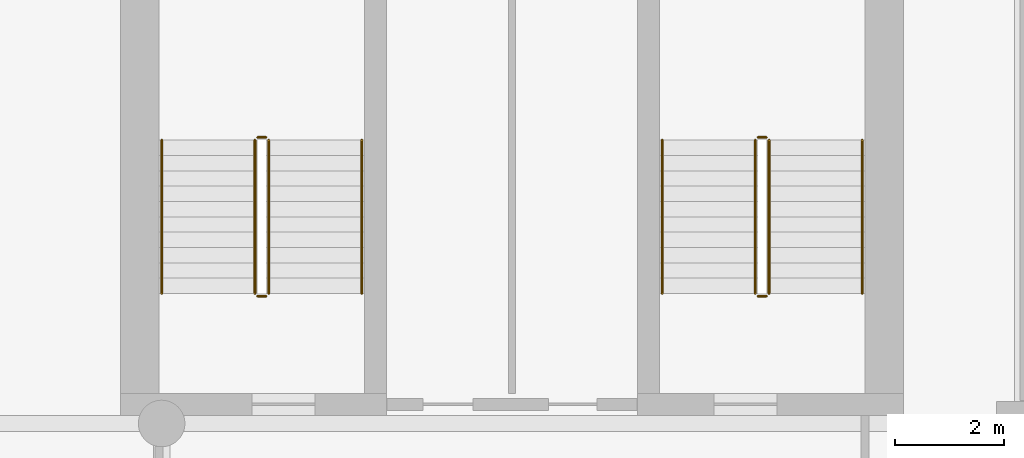
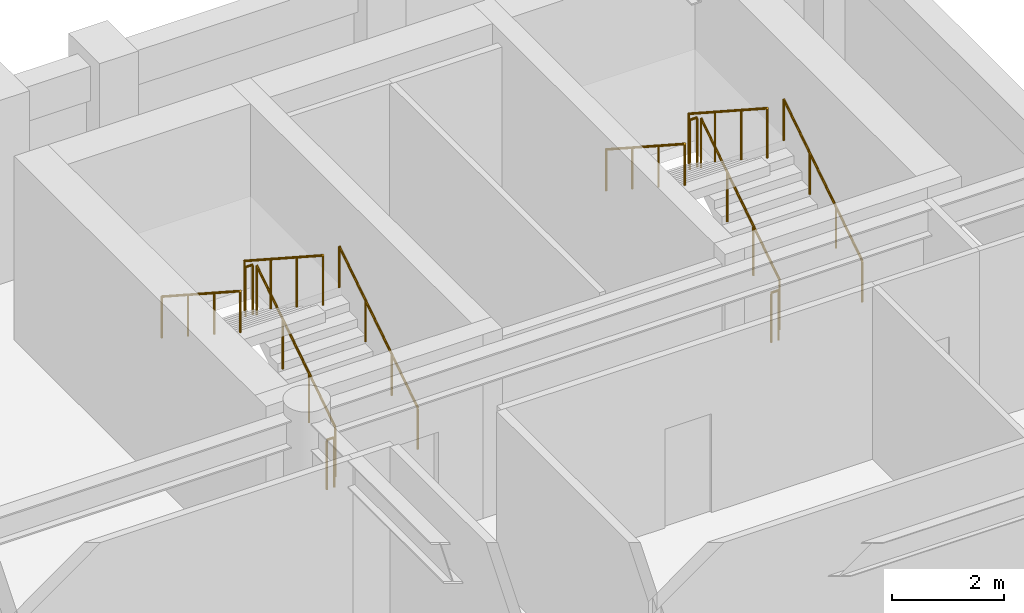
# One storey, part 10 of 10: 12 railings.
"""IFC4 building model written with IfcOpenShell, lengths in metres."""

from ifc_helpers import new_model, si_unit, direction, frame, origin, origin_2d, place, context, subcontext, project, spatial, circle, extrude, material, type_object, element, save


model = new_model("IFC4")

# Units and contexts
model_context = context("Model", 3, precision=1e-05, world=origin(), true_north=direction((0.0, 1.0)))
body_context = subcontext(model_context, "Body", "Model", "MODEL_VIEW")
ifc_project = project(units=[si_unit("LENGTHUNIT", "METRE"), si_unit("AREAUNIT", "SQUARE_METRE"), si_unit("VOLUMEUNIT", "CUBIC_METRE"), si_unit("PLANEANGLEUNIT", "RADIAN"), si_unit("MASSUNIT", "GRAM", prefix="KILO")], contexts=[model_context])

# Site, building, storey
site_placement = place(None, origin())
site = spatial("IfcSite", under=ifc_project, at=site_placement, CompositionType="ELEMENT")
building_placement = place(site_placement, origin())
building = spatial("IfcBuilding", under=site, at=building_placement, Name="Sulina Concourse Tower", CompositionType="ELEMENT")
storey_placement = place(building_placement, frame((0.0, 0.0, 182.60009765625)))
storey = spatial("IfcBuildingStorey", under=building, at=storey_placement, Name="L44", CompositionType="ELEMENT", Elevation=182.60009765625)

# Railings
ifc_material_1 = material(Name="Galvanised steel railing", Category="steel")
railing_type_1 = type_object("IfcRailingType", Name="Core Stair Steel Guardrail 1150mm", PredefinedType="GUARDRAIL", material=ifc_material_1)
railing_1_placement = place(storey_placement, frame((43.554931640625, 36.375, 0.181640625)))
element("IfcRailing", 1, at=railing_1_placement, inside=storey, type_object=railing_type_1, Name="L44 ST-3 stair guard 1", PredefinedType="GUARDRAIL", context=body_context, shape_type="SweptSolid", body=[
    extrude(circle(Radius=0.02392578125, at=origin_2d()), frame((0.0, 0.0, 1.076171875), z_axis=(0.0, 0.838672427954, 0.544636170843), x_axis=(-1.0, 0.0, 0.0)), (0.0, 0.0, 1.0), 3.338623046875),
    extrude(circle(Radius=0.02099609375, at=origin_2d()), origin(), (0.0, 0.0, 1.0), 1.052001953125),
    extrude(circle(Radius=0.02099609375, at=origin_2d()), frame((0.0, 0.933349609375, 0.606201171875)), (0.0, 0.0, 1.0), 1.052001953125),
    extrude(circle(Radius=0.02099609375, at=origin_2d()), frame((0.0, 1.86669921875, 1.212158203125)), (0.0, 0.0, 1.0), 1.052001953125),
    extrude(circle(Radius=0.02099609375, at=origin_2d()), frame((0.0, 2.800048828125, 1.818359375)), (0.0, 0.0, 1.0), 1.052001953125),
])
railing_2_placement = place(storey_placement, frame((43.5048828125, 39.22509765625, 2.0)))
element("IfcRailing", 2, at=railing_2_placement, inside=storey, type_object=railing_type_1, Name="L44 ST-3 stair guard 2", PredefinedType="GUARDRAIL", context=body_context, shape_type="SweptSolid", body=[
    extrude(circle(Radius=0.02392578125, at=origin_2d()), frame((0.0, 0.0, 1.076171875), z_axis=(-1.0, 0.0, 0.0), x_axis=(0.0, -1.0, 0.0)), (0.0, 0.0, 1.0), 0.14990234375),
    extrude(circle(Radius=0.02099609375, at=origin_2d()), origin(), (0.0, 0.0, 1.0), 1.052001953125),
    extrude(circle(Radius=0.02099609375, at=origin_2d()), frame((-0.14990234375, 0.0, 0.0)), (0.0, 0.0, 1.0), 1.052001953125),
])
railing_3_placement = place(storey_placement, frame((43.304931640625, 39.175048828125, 2.181640625)))
element("IfcRailing", 3, at=railing_3_placement, inside=storey, type_object=railing_type_1, Name="L44 ST-3 stair guard 3", PredefinedType="GUARDRAIL", context=body_context, shape_type="SweptSolid", body=[
    extrude(circle(Radius=0.02392578125, at=origin_2d()), frame((0.0, 0.0, 1.076171875), z_axis=(0.0, -0.838672427954, 0.544636170843), x_axis=(1.0, 0.0, 0.0)), (0.0, 0.0, 1.0), 3.338623046875),
    extrude(circle(Radius=0.02099609375, at=origin_2d()), origin(), (0.0, 0.0, 1.0), 1.052001953125),
    extrude(circle(Radius=0.02099609375, at=origin_2d()), frame((0.0, -0.933349609375, 0.606201171875)), (0.0, 0.0, 1.0), 1.052001953125),
    extrude(circle(Radius=0.02099609375, at=origin_2d()), frame((0.0, -1.86669921875, 1.212158203125)), (0.0, 0.0, 1.0), 1.052001953125),
    extrude(circle(Radius=0.02099609375, at=origin_2d()), frame((0.0, -2.800048828125, 1.818359375)), (0.0, 0.0, 1.0), 1.052001953125),
])
railing_4_placement = place(storey_placement, frame((43.5048828125, 36.324951171875, 0.0)))
element("IfcRailing", 4, at=railing_4_placement, inside=storey, type_object=railing_type_1, Name="L44 ST-3 stair guard 4", PredefinedType="GUARDRAIL", context=body_context, shape_type="SweptSolid", body=[
    extrude(circle(Radius=0.02392578125, at=origin_2d()), frame((0.0, 0.0, 1.076171875), z_axis=(-1.0, 0.0, 0.0), x_axis=(0.0, -1.0, 0.0)), (0.0, 0.0, 1.0), 0.14990234375),
    extrude(circle(Radius=0.02099609375, at=origin_2d()), origin(), (0.0, 0.0, 1.0), 1.052001953125),
    extrude(circle(Radius=0.02099609375, at=origin_2d()), frame((-0.14990234375, 0.0, 0.0)), (0.0, 0.0, 1.0), 1.052001953125),
])
railing_5_placement = place(storey_placement, frame((52.695068359375, 36.375, 0.181640625)))
element("IfcRailing", 5, at=railing_5_placement, inside=storey, type_object=railing_type_1, Name="L44 ST-4 stair guard 1", PredefinedType="GUARDRAIL", context=body_context, shape_type="SweptSolid", body=[
    extrude(circle(Radius=0.02392578125, at=origin_2d()), frame((0.0, 0.0, 1.076171875), z_axis=(0.0, 0.838672427954, 0.544636170843), x_axis=(-1.0, 0.0, 0.0)), (0.0, 0.0, 1.0), 3.338623046875),
    extrude(circle(Radius=0.02099609375, at=origin_2d()), origin(), (0.0, 0.0, 1.0), 1.052001953125),
    extrude(circle(Radius=0.02099609375, at=origin_2d()), frame((0.0, 0.933349609375, 0.606201171875)), (0.0, 0.0, 1.0), 1.052001953125),
    extrude(circle(Radius=0.02099609375, at=origin_2d()), frame((0.0, 1.86669921875, 1.212158203125)), (0.0, 0.0, 1.0), 1.052001953125),
    extrude(circle(Radius=0.02099609375, at=origin_2d()), frame((0.0, 2.800048828125, 1.818359375)), (0.0, 0.0, 1.0), 1.052001953125),
])
railing_6_placement = place(storey_placement, frame((52.64501953125, 39.22509765625, 2.0)))
element("IfcRailing", 6, at=railing_6_placement, inside=storey, type_object=railing_type_1, Name="L44 ST-4 stair guard 2", PredefinedType="GUARDRAIL", context=body_context, shape_type="SweptSolid", body=[
    extrude(circle(Radius=0.02392578125, at=origin_2d()), frame((0.0, 0.0, 1.076171875), z_axis=(-1.0, 0.0, 0.0), x_axis=(0.0, -1.0, 0.0)), (0.0, 0.0, 1.0), 0.14990234375),
    extrude(circle(Radius=0.02099609375, at=origin_2d()), origin(), (0.0, 0.0, 1.0), 1.052001953125),
    extrude(circle(Radius=0.02099609375, at=origin_2d()), frame((-0.14990234375, 0.0, 0.0)), (0.0, 0.0, 1.0), 1.052001953125),
])
railing_7_placement = place(storey_placement, frame((52.445068359375, 39.175048828125, 2.181640625)))
element("IfcRailing", 7, at=railing_7_placement, inside=storey, type_object=railing_type_1, Name="L44 ST-4 stair guard 3", PredefinedType="GUARDRAIL", context=body_context, shape_type="SweptSolid", body=[
    extrude(circle(Radius=0.02392578125, at=origin_2d()), frame((0.0, 0.0, 1.076171875), z_axis=(0.0, -0.838672427954, 0.544636170843), x_axis=(1.0, 0.0, 0.0)), (0.0, 0.0, 1.0), 3.338623046875),
    extrude(circle(Radius=0.02099609375, at=origin_2d()), origin(), (0.0, 0.0, 1.0), 1.052001953125),
    extrude(circle(Radius=0.02099609375, at=origin_2d()), frame((0.0, -0.933349609375, 0.606201171875)), (0.0, 0.0, 1.0), 1.052001953125),
    extrude(circle(Radius=0.02099609375, at=origin_2d()), frame((0.0, -1.86669921875, 1.212158203125)), (0.0, 0.0, 1.0), 1.052001953125),
    extrude(circle(Radius=0.02099609375, at=origin_2d()), frame((0.0, -2.800048828125, 1.818359375)), (0.0, 0.0, 1.0), 1.052001953125),
])
railing_8_placement = place(storey_placement, frame((52.64501953125, 36.324951171875, 0.0)))
element("IfcRailing", 8, at=railing_8_placement, inside=storey, type_object=railing_type_1, Name="L44 ST-4 stair guard 4", PredefinedType="GUARDRAIL", context=body_context, shape_type="SweptSolid", body=[
    extrude(circle(Radius=0.02392578125, at=origin_2d()), frame((0.0, 0.0, 1.076171875), z_axis=(-1.0, 0.0, 0.0), x_axis=(0.0, -1.0, 0.0)), (0.0, 0.0, 1.0), 0.14990234375),
    extrude(circle(Radius=0.02099609375, at=origin_2d()), origin(), (0.0, 0.0, 1.0), 1.052001953125),
    extrude(circle(Radius=0.02099609375, at=origin_2d()), frame((-0.14990234375, 0.0, 0.0)), (0.0, 0.0, 1.0), 1.052001953125),
])
ifc_material_2 = material(Name="Galvanised steel railing", Category="steel")
railing_type_2 = type_object("IfcRailingType", Name="Stair Wall Steel Handrail 920mm", PredefinedType="HANDRAIL", material=ifc_material_2)
railing_9_placement = place(storey_placement, frame((45.2548828125, 36.375, 0.181640625)))
element("IfcRailing", 9, at=railing_9_placement, inside=storey, type_object=railing_type_2, Name="L44 ST-3 stair handrail 1", PredefinedType="HANDRAIL", context=body_context, shape_type="SweptSolid", body=[
    extrude(circle(Radius=0.02392578125, at=origin_2d()), frame((0.0, 0.0, 0.89599609375), z_axis=(0.0, 0.838672427954, 0.544636170843), x_axis=(-1.0, 0.0, 0.0)), (0.0, 0.0, 1.0), 3.338623046875),
    extrude(circle(Radius=0.02099609375, at=origin_2d()), origin(), (0.0, 0.0, 1.0), 0.871826171875),
    extrude(circle(Radius=0.02099609375, at=origin_2d()), frame((0.0, 0.933349609375, 0.606201171875)), (0.0, 0.0, 1.0), 0.871826171875),
    extrude(circle(Radius=0.02099609375, at=origin_2d()), frame((0.0, 1.86669921875, 1.212158203125)), (0.0, 0.0, 1.0), 0.871826171875),
    extrude(circle(Radius=0.02099609375, at=origin_2d()), frame((0.0, 2.800048828125, 1.818359375)), (0.0, 0.0, 1.0), 0.871826171875),
])
railing_10_placement = place(storey_placement, frame((41.60498046875, 39.175048828125, 2.181640625)))
element("IfcRailing", 10, at=railing_10_placement, inside=storey, type_object=railing_type_2, Name="L44 ST-3 stair handrail 2", PredefinedType="HANDRAIL", context=body_context, shape_type="SweptSolid", body=[
    extrude(circle(Radius=0.02392578125, at=origin_2d()), frame((0.0, 0.0, 0.89599609375), z_axis=(0.0, -0.838672427954, 0.544636170843), x_axis=(1.0, 0.0, 0.0)), (0.0, 0.0, 1.0), 3.338623046875),
    extrude(circle(Radius=0.02099609375, at=origin_2d()), origin(), (0.0, 0.0, 1.0), 0.871826171875),
    extrude(circle(Radius=0.02099609375, at=origin_2d()), frame((0.0, -0.933349609375, 0.606201171875)), (0.0, 0.0, 1.0), 0.871826171875),
    extrude(circle(Radius=0.02099609375, at=origin_2d()), frame((0.0, -1.86669921875, 1.212158203125)), (0.0, 0.0, 1.0), 0.871826171875),
    extrude(circle(Radius=0.02099609375, at=origin_2d()), frame((0.0, -2.800048828125, 1.818359375)), (0.0, 0.0, 1.0), 0.871826171875),
])
railing_11_placement = place(storey_placement, frame((54.39501953125, 36.375, 0.181640625)))
element("IfcRailing", 11, at=railing_11_placement, inside=storey, type_object=railing_type_2, Name="L44 ST-4 stair handrail 1", PredefinedType="HANDRAIL", context=body_context, shape_type="SweptSolid", body=[
    extrude(circle(Radius=0.02392578125, at=origin_2d()), frame((0.0, 0.0, 0.89599609375), z_axis=(0.0, 0.838672427954, 0.544636170843), x_axis=(-1.0, 0.0, 0.0)), (0.0, 0.0, 1.0), 3.338623046875),
    extrude(circle(Radius=0.02099609375, at=origin_2d()), origin(), (0.0, 0.0, 1.0), 0.871826171875),
    extrude(circle(Radius=0.02099609375, at=origin_2d()), frame((0.0, 0.933349609375, 0.606201171875)), (0.0, 0.0, 1.0), 0.871826171875),
    extrude(circle(Radius=0.02099609375, at=origin_2d()), frame((0.0, 1.86669921875, 1.212158203125)), (0.0, 0.0, 1.0), 0.871826171875),
    extrude(circle(Radius=0.02099609375, at=origin_2d()), frame((0.0, 2.800048828125, 1.818359375)), (0.0, 0.0, 1.0), 0.871826171875),
])
railing_12_placement = place(storey_placement, frame((50.7451171875, 39.175048828125, 2.181640625)))
element("IfcRailing", 12, at=railing_12_placement, inside=storey, type_object=railing_type_2, Name="L44 ST-4 stair handrail 2", PredefinedType="HANDRAIL", context=body_context, shape_type="SweptSolid", body=[
    extrude(circle(Radius=0.02392578125, at=origin_2d()), frame((0.0, 0.0, 0.89599609375), z_axis=(0.0, -0.838672427954, 0.544636170843), x_axis=(1.0, 0.0, 0.0)), (0.0, 0.0, 1.0), 3.338623046875),
    extrude(circle(Radius=0.02099609375, at=origin_2d()), origin(), (0.0, 0.0, 1.0), 0.871826171875),
    extrude(circle(Radius=0.02099609375, at=origin_2d()), frame((0.0, -0.933349609375, 0.606201171875)), (0.0, 0.0, 1.0), 0.871826171875),
    extrude(circle(Radius=0.02099609375, at=origin_2d()), frame((0.0, -1.86669921875, 1.212158203125)), (0.0, 0.0, 1.0), 0.871826171875),
    extrude(circle(Radius=0.02099609375, at=origin_2d()), frame((0.0, -2.800048828125, 1.818359375)), (0.0, 0.0, 1.0), 0.871826171875),
])

save(model, "model.ifc")
